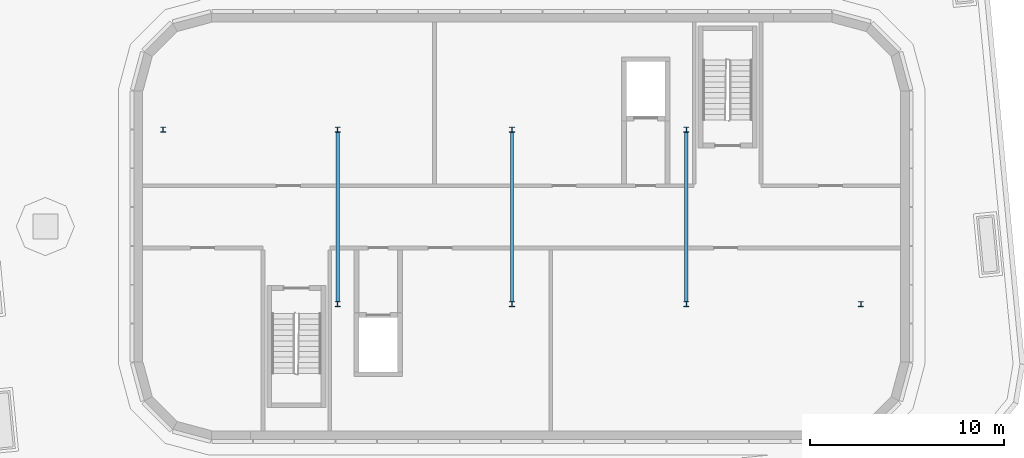
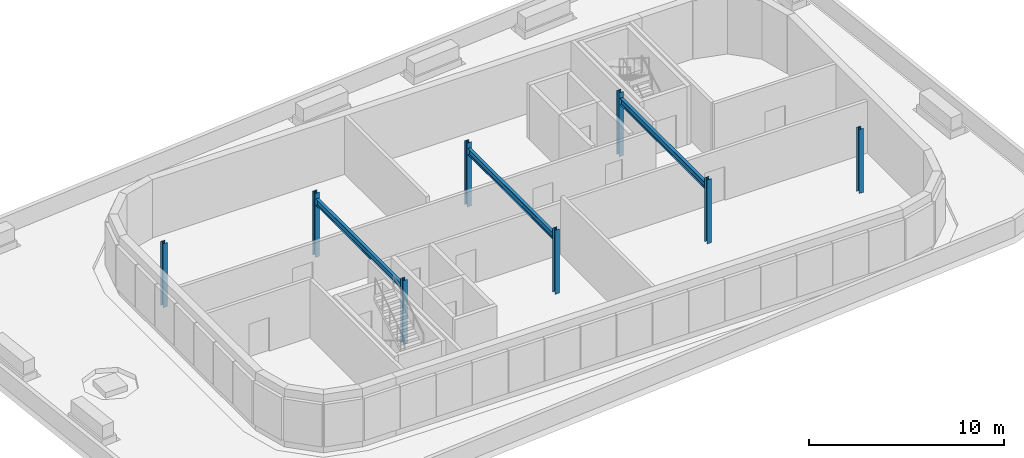
# One storey, part 1 of 6: 8 columns, 3 beams.
"""IFC4 building model written with IfcOpenShell, lengths in metres."""

from ifc_helpers import new_model, si_unit, direction, frame, origin, origin_2d, place, context, subcontext, project, spatial, i_section, extrude, material, material_profile, profile_set, type_object, element, save


model = new_model("IFC4")

# Units and contexts
model_context = context("Model", 3, precision=1e-05, world=origin(), true_north=direction((0.0, 1.0)))
body_context = subcontext(model_context, "Body", "Model", "MODEL_VIEW")
ifc_project = project(units=[si_unit("LENGTHUNIT", "METRE"), si_unit("AREAUNIT", "SQUARE_METRE"), si_unit("VOLUMEUNIT", "CUBIC_METRE"), si_unit("PLANEANGLEUNIT", "RADIAN"), si_unit("MASSUNIT", "GRAM", prefix="KILO")], contexts=[model_context])

# Site, building, storey
site_placement = place(None, origin())
site = spatial("IfcSite", under=ifc_project, at=site_placement, CompositionType="ELEMENT")
building_placement = place(site_placement, origin())
building = spatial("IfcBuilding", under=site, at=building_placement, Name="Kajstack Hotel Tower", CompositionType="ELEMENT")
storey_placement = place(building_placement, frame((0.0, 0.0, 325.800048828125)))
storey = spatial("IfcBuildingStorey", under=building, at=storey_placement, Name="L82", CompositionType="ELEMENT", Elevation=325.800048828125)

# Columns
ifc_material = material(Name="Steel S355J2", Category="steel")
ifc_material_profile_1 = material_profile(ifc_material, i_section(OverallWidth=0.260009765625, OverallDepth=0.260009765625, WebThickness=0.010009765625, FlangeThickness=0.017578125, FilletRadius=0.02392578125, at=origin_2d()), Name="HEB 260")
ifc_profile_set_1 = profile_set([ifc_material_profile_1], Name="Steel S355J2")
column_type = type_object("IfcColumnType", Name="CC3 HEB 260", PredefinedType="COLUMN", material=ifc_profile_set_1)
for number, where, z_axis, x_axis, name in (
    (1, (-18.0, 4.5, 0.0), (0.0, 0.0, 1.0), (1.0, 0.0, 0.0), "S-col-c-L82--18p0+4p5"),
    (2, (-9.0, -4.5, 0.0), (0.0, 0.0, 1.0), (1.0, 0.0, 0.0), "S-col-c-L82--9p0-4p5"),
    (3, (-9.0, 4.5, 0.0), (0.0, 0.0, 1.0), (1.0, 0.0, 0.0), "S-col-c-L82--9p0+4p5"),
    (4, (0.0, -4.5, 0.0), (0.0, 0.0, 1.0), (1.0, 0.0, 0.0), "S-col-c-L82-+0p0-4p5"),
    (5, (0.0, 4.5, 0.0), (0.0, 0.0, 1.0), (1.0, 0.0, 0.0), "S-col-c-L82-+0p0+4p5"),
    (6, (9.0, -4.5, 0.0), (0.0, 0.0, 1.0), (1.0, 0.0, 0.0), "S-col-c-L82-+9p0-4p5"),
    (7, (9.0, 4.5, 0.0), (0.0, 0.0, 1.0), (1.0, 0.0, 0.0), "S-col-c-L82-+9p0+4p5"),
    (8, (18.0, -4.5, 0.0), (0.0, 0.0, 1.0), (1.0, 0.0, 0.0), "S-col-c-L82-+18p0-4p5"),
):
    element("IfcColumn", number, at=place(storey_placement, frame(where, z_axis=z_axis, x_axis=x_axis)), inside=storey, type_object=column_type, Name=name, PredefinedType="COLUMN", context=body_context, shape_type="SweptSolid", body=[
        extrude(i_section(OverallWidth=0.260009765625, OverallDepth=0.260009765625, WebThickness=0.010009765625, FlangeThickness=0.017578125, FilletRadius=0.02392578125, at=origin_2d()), origin(), (0.0, 0.0, 1.0), 4.0),
    ])

# Beams
ifc_material_profile_2 = material_profile(ifc_material, i_section(OverallWidth=0.179931640625, OverallDepth=0.39990234375, WebThickness=0.008544921875, FlangeThickness=0.013427734375, FilletRadius=0.02099609375, at=origin_2d()), Name="IPE 400")
ifc_profile_set_2 = profile_set([ifc_material_profile_2], Name="Steel S355J2")
beam_type = type_object("IfcBeamType", Name="CF3 IPE 400", PredefinedType="BEAM", material=ifc_profile_set_2)
for number, where, z_axis, x_axis, name in (
    (9, (-9.0, -4.3701171875, 3.449951171875), (0.0, 1.0, 0.0), (-1.0, 0.0, 0.0), "S-beam-c-L82--9p0-1"),
    (10, (0.0, -4.3701171875, 3.449951171875), (0.0, 1.0, 0.0), (-1.0, 0.0, 0.0), "S-beam-c-L82-+0p0-1"),
    (11, (9.0, -4.3701171875, 3.449951171875), (0.0, 1.0, 0.0), (-1.0, 0.0, 0.0), "S-beam-c-L82-+9p0-1"),
):
    element("IfcBeam", number, at=place(storey_placement, frame(where, z_axis=z_axis, x_axis=x_axis)), inside=storey, type_object=beam_type, Name=name, PredefinedType="BEAM", context=body_context, shape_type="SweptSolid", body=[
        extrude(i_section(OverallWidth=0.179931640625, OverallDepth=0.39990234375, WebThickness=0.008544921875, FlangeThickness=0.013427734375, FilletRadius=0.02099609375, at=origin_2d()), origin(), (0.0, 0.0, 1.0), 8.740234375),
    ])

save(model, "model.ifc")
